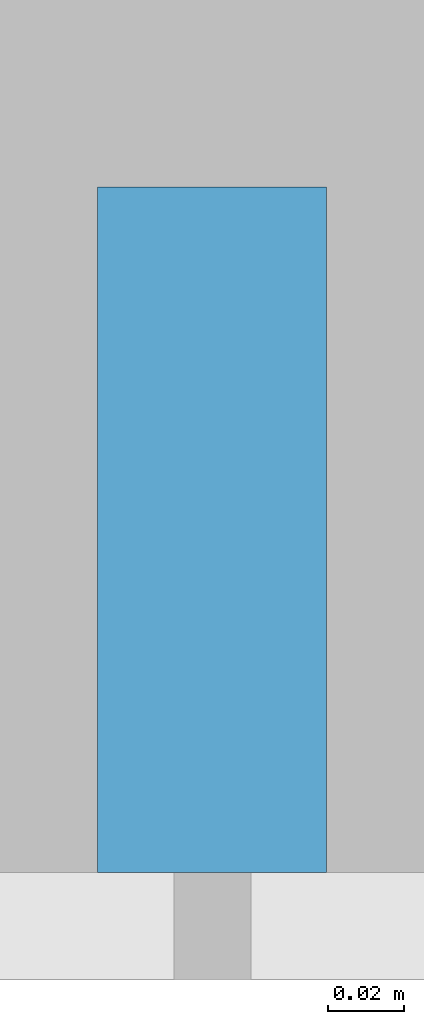
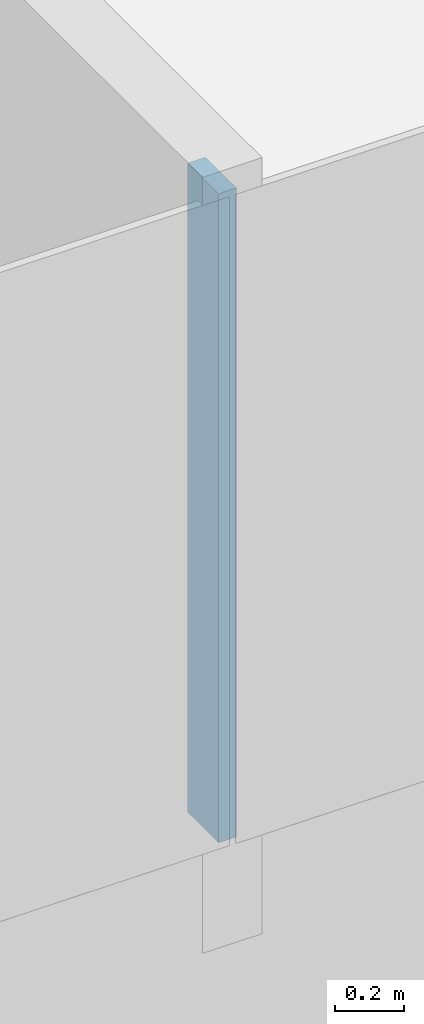
# One storey, part 5 of 26: 1 member, 1 element without a shape of its own.
"""IFC4 building model written with IfcOpenShell, lengths in metres."""

from ifc_helpers import new_model, si_unit, direction, frame, origin, origin_2d, place, context, subcontext, project, spatial, rectangle, extrude, material, layer, layer_set, material_profile, profile_set, type_object, element, aggregate, save


model = new_model("IFC4")

# Units and contexts
model_context = context("Model", 3, precision=1e-05, world=origin(), true_north=direction((0.0, 1.0)))
body_context = subcontext(model_context, "Body", "Model", "MODEL_VIEW")
ifc_project = project(units=[si_unit("LENGTHUNIT", "METRE"), si_unit("AREAUNIT", "SQUARE_METRE"), si_unit("VOLUMEUNIT", "CUBIC_METRE"), si_unit("PLANEANGLEUNIT", "RADIAN"), si_unit("MASSUNIT", "GRAM", prefix="KILO")], contexts=[model_context])

# Site, building, storey
site_placement = place(None, origin())
site = spatial("IfcSite", under=ifc_project, at=site_placement, CompositionType="ELEMENT")
building_placement = place(site_placement, origin())
building = spatial("IfcBuilding", under=site, at=building_placement, Name="Hakoniwa Tower and Hamabe Station Hall", CompositionType="ELEMENT")
storey_placement = place(building_placement, frame((0.0, 0.0, 131.0)))
storey = spatial("IfcBuildingStorey", under=building, at=storey_placement, Name="L36", CompositionType="ELEMENT", Elevation=131.0)

# Curtain wall, member
ifc_material_1 = material(Name="Dark low-e laminated glass", Category="glass")
ifc_layer = layer(ifc_material_1, 0.199951171875)
ifc_layer_set = layer_set([ifc_layer], Name="CW-1 UNITISED GUEST")
curtain_wall_type = type_object("IfcCurtainWallType", Name="CW-1 UNITISED GUEST", PredefinedType="NOTDEFINED", material=ifc_layer_set)
curtain_wall_placement = place(storey_placement, origin())
curtain_wall = element("IfcCurtainWall", 1, at=curtain_wall_placement, inside=storey, type_object=curtain_wall_type, Name="CW-1 curtain wall", PredefinedType="NOTDEFINED")
ifc_material_2 = material(Name="Aluminium 6063-T5 black anodised", Category="aluminium")
ifc_material_profile = material_profile(ifc_material_2, rectangle(XDim=0.06005859375, YDim=0.179931640625, at=origin_2d()), Name="CW-1 MULLION 60X180")
ifc_profile_set = profile_set([ifc_material_profile], Name="Aluminium 6063-T5 black anodised")
member_type = type_object("IfcMemberType", Name="CW-1 MULLION 60X180", PredefinedType="MULLION", material=ifc_profile_set)
member_placement = place(storey_placement, frame((8.39990234375, -19.181884765625, 0.35009765625), z_axis=(0.0, 0.0, 1.0), x_axis=(1.0, 0.0, 0.0)))
member = element("IfcMember", 2, at=member_placement, type_object=member_type, Name="CW-1 mullion", PredefinedType="MULLION", context=body_context, shape_type="SweptSolid", body=[
    extrude(rectangle(XDim=0.06005859375, YDim=0.179931640625, at=origin_2d()), origin(), (0.0, 0.0, 1.0), 2.2998046875),
])
aggregate(curtain_wall, [member])

save(model, "model.ifc")
